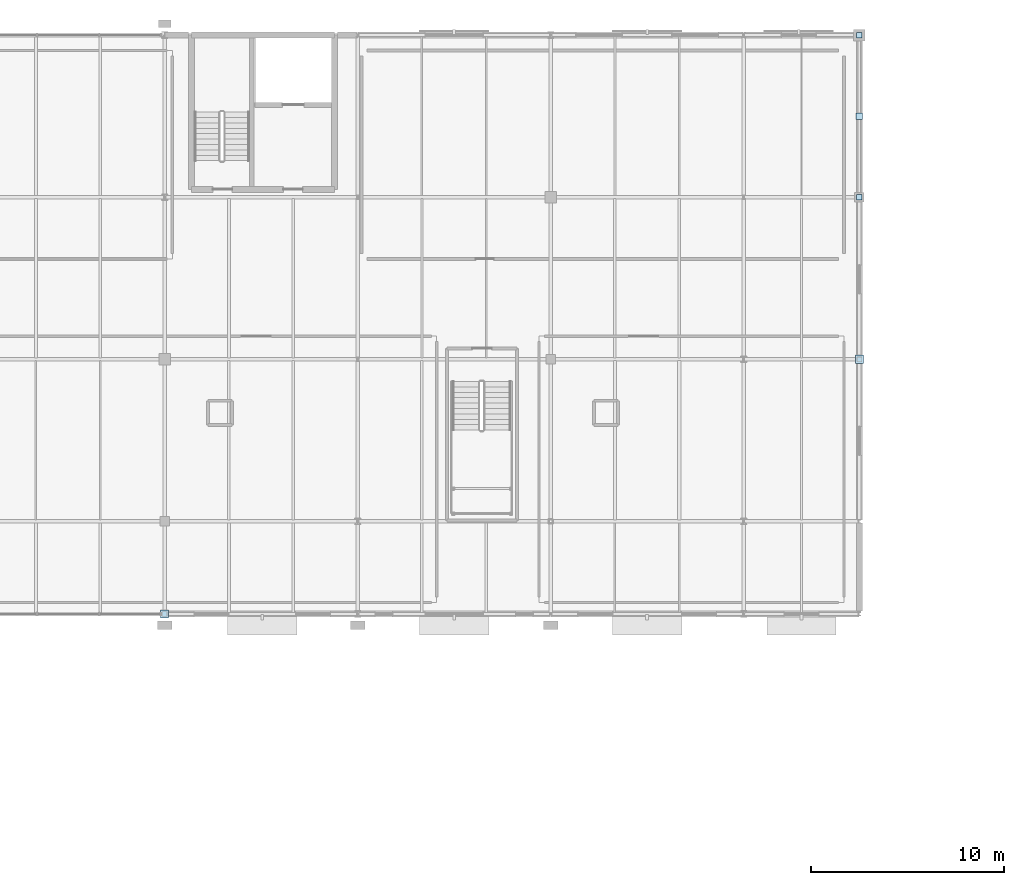
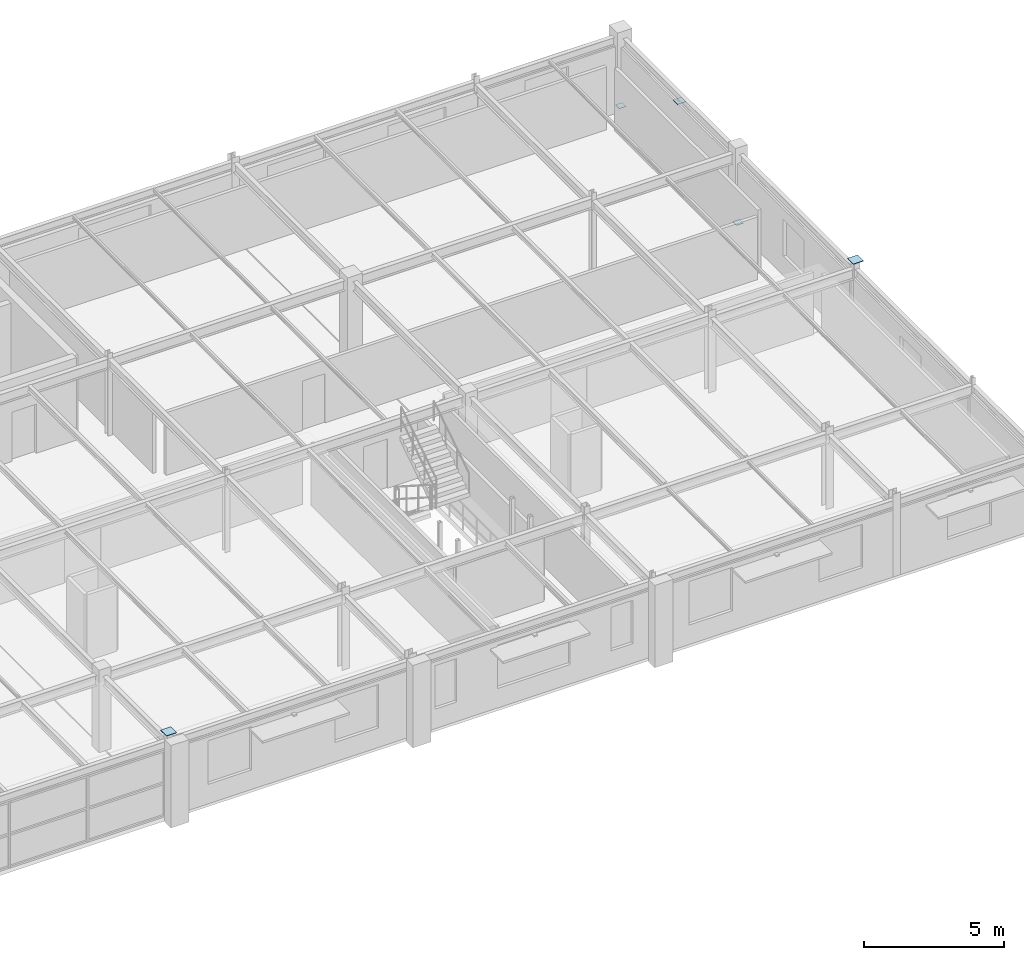
# One storey, part 95 of 109: 5 plates.
"""IFC4 building model written with IfcOpenShell, lengths in metres."""

from ifc_helpers import new_model, si_unit, derived_unit, direction, frame, origin, origin_2d_with_axis, place, context, subcontext, project, spatial, rectangle, extrude, material, layer, layer_set, type_object, element, save


model = new_model("IFC4")

# Units and contexts
model_context = context("Model", 3, precision=1e-05, world=origin(), true_north=direction((0.0, 1.0)))
body_context = subcontext(model_context, "Body", "Model", "MODEL_VIEW")
ifc_project = project(units=[si_unit("LENGTHUNIT", "METRE"), si_unit("AREAUNIT", "SQUARE_METRE"), si_unit("VOLUMEUNIT", "CUBIC_METRE"), si_unit("PLANEANGLEUNIT", "RADIAN"), si_unit("MASSUNIT", "GRAM", prefix="KILO"), derived_unit("THERMALTRANSMITTANCEUNIT", [(si_unit("POWERUNIT", "WATT"), 1), (si_unit("LENGTHUNIT", "METRE"), -2), (si_unit("THERMODYNAMICTEMPERATUREUNIT", "KELVIN"), -1)])], contexts=[model_context])

# Site, building, storey
site_placement = place(None, origin())
site = spatial("IfcSite", under=ifc_project, at=site_placement, CompositionType="ELEMENT")
building_placement = place(site_placement, origin())
building = spatial("IfcBuilding", under=site, at=building_placement, Name="Cinnabar Yard Market Hall", CompositionType="ELEMENT")
storey_placement = place(building_placement, frame((0.0, 0.0, 8.39990234375)))
storey = spatial("IfcBuildingStorey", under=building, at=storey_placement, Name="L02", CompositionType="ELEMENT", Elevation=8.39990234375)

# Plates
ifc_material = material(Name="Steel Grade 350 (350 MPa)", Category="steel")
ifc_layer_1 = layer(ifc_material, 0.02392578125)
ifc_layer_set_1 = layer_set([ifc_layer_1], Name="Steel Grade 350 (350 MPa)")
plate_type_1 = type_object("IfcPlateType", Name="PL-NP16", PredefinedType="SHEET", material=ifc_layer_set_1)
for number, where, z_axis, x_axis, name in (
    (1, (126.0, 108.0, 3.588134765625), (0.0, 0.0, 1.0), (1.0, 0.0, 0.0), "Hollow Member Cap Plate 02"),
    (2, (162.0, 121.199951171875, 3.588134765625), (0.0, 0.0, 1.0), (1.0, 0.0, 0.0), "Hollow Member Cap Plate 04"),
):
    element("IfcPlate", number, at=place(storey_placement, frame(where, z_axis=z_axis, x_axis=x_axis)), inside=storey, type_object=plate_type_1, Name=name, PredefinedType="SHEET", context=body_context, shape_type="SweptSolid", body=[
        extrude(rectangle(XDim=0.419921875, YDim=0.419921875, at=origin_2d_with_axis()), origin(), (0.0, 0.0, 1.0), 0.02392578125),
    ])
ifc_layer_2 = layer(ifc_material, 0.01611328125)
ifc_layer_set_2 = layer_set([ifc_layer_2], Name="Steel Grade 350 (350 MPa)")
plate_type_2 = type_object("IfcPlateType", Name="PL-NP18E", PredefinedType="SHEET", material=ifc_layer_set_2)
plate_placement = place(storey_placement, frame((162.0, 133.800048828125, 2.89208984375), z_axis=(0.0, 0.0, 1.0), x_axis=(1.0, 0.0, 0.0)))
element("IfcPlate", 3, at=plate_placement, inside=storey, type_object=plate_type_2, Name="Brace Apex Gusset CBF-V3-E2", PredefinedType="SHEET", context=body_context, shape_type="SweptSolid", body=[
    extrude(rectangle(XDim=0.340087890625, YDim=0.340087890625, at=origin_2d_with_axis()), origin(), (0.0, 0.0, 1.0), 0.01611328125),
])
ifc_layer_3 = layer(ifc_material, 0.01611328125)
ifc_layer_set_3 = layer_set([ifc_layer_3], Name="Steel Grade 350 (350 MPa)")
plate_type_3 = type_object("IfcPlateType", Name="PL-NP19E", PredefinedType="SHEET", material=ifc_layer_set_3)
for number, where, z_axis, x_axis, name in (
    (4, (162.0, 129.60009765625, 0.132080078125), (0.0, 0.0, 1.0), (1.0, 0.0, 0.0), "Brace Base Gusset CBF-V3-E2 L"),
    (5, (162.0, 138.0, 0.132080078125), (0.0, 0.0, 1.0), (1.0, 0.0, 0.0), "Brace Base Gusset CBF-V3-E2 R"),
):
    element("IfcPlate", number, at=place(storey_placement, frame(where, z_axis=z_axis, x_axis=x_axis)), inside=storey, type_object=plate_type_3, Name=name, PredefinedType="SHEET", context=body_context, shape_type="SweptSolid", body=[
        extrude(rectangle(XDim=0.280029296875, YDim=0.280029296875, at=origin_2d_with_axis()), origin(), (0.0, 0.0, 1.0), 0.01611328125),
    ])

save(model, "model.ifc")
